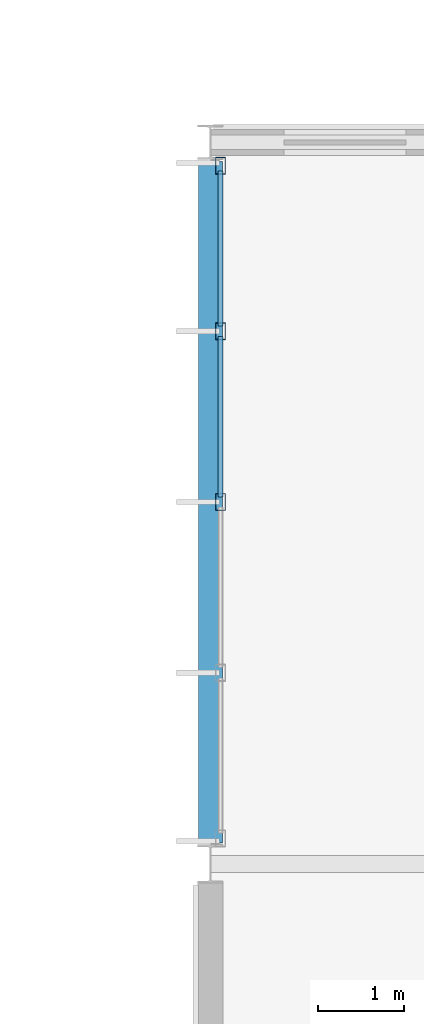
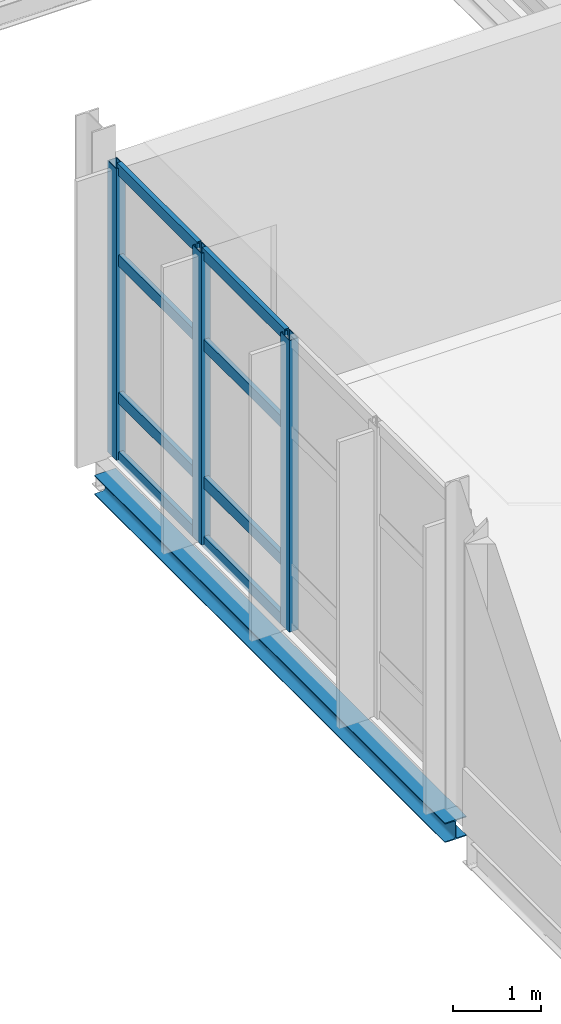
# One storey, part 71 of 129: 11 members, 1 beam, 1 element without a shape of its own.
"""IFC4 building model written with IfcOpenShell, lengths in metres."""

from ifc_helpers import new_model, si_unit, direction, frame, origin, origin_2d, place, context, subcontext, project, spatial, hollow_rectangle, i_section, extrude, material, material_profile, profile_set, type_object, element, aggregate, save


model = new_model("IFC4")

# Units and contexts
model_context = context("Model", 3, precision=1e-05, world=origin(), true_north=direction((0.0, 1.0)))
body_context = subcontext(model_context, "Body", "Model", "MODEL_VIEW")
ifc_project = project(units=[si_unit("LENGTHUNIT", "METRE"), si_unit("AREAUNIT", "SQUARE_METRE"), si_unit("VOLUMEUNIT", "CUBIC_METRE"), si_unit("PLANEANGLEUNIT", "RADIAN"), si_unit("MASSUNIT", "GRAM", prefix="KILO")], contexts=[model_context])

# Site, building, storey
site_placement = place(None, origin())
site = spatial("IfcSite", under=ifc_project, at=site_placement, CompositionType="ELEMENT")
building_placement = place(site_placement, origin())
building = spatial("IfcBuilding", under=site, at=building_placement, Name="Mersafa Astral City Hall", CompositionType="ELEMENT")
storey_placement = place(building_placement, frame((0.0, 0.0, 5.39990234375)))
storey = spatial("IfcBuildingStorey", under=building, at=storey_placement, Name="L01", CompositionType="ELEMENT", Elevation=5.39990234375)

# Curtain wall, members
ifc_material_1 = material(Name="Anodised bronze aluminium framing", Category="aluminium")
curtain_wall_type = type_object("IfcCurtainWallType", Name="ENV-CW-1", PredefinedType="USERDEFINED", material=ifc_material_1)
curtain_wall_placement = place(storey_placement, origin())
curtain_wall = element("IfcCurtainWall", 1, at=curtain_wall_placement, inside=storey, type_object=curtain_wall_type, Name="L01 Unitised solar curtain wall 66", ObjectType="UNITISED CURTAIN WALL", PredefinedType="USERDEFINED")
ifc_material_profile_1 = material_profile(ifc_material_1, hollow_rectangle(XDim=0.1201171875, YDim=0.199951171875, WallThickness=0.008056640625, at=origin_2d()), Name="RHS 120x200x8")
ifc_profile_set_1 = profile_set([ifc_material_profile_1], Name="Anodised bronze aluminium framing")
member_type_1 = type_object("IfcMemberType", Name="ENV-CW-MUL-2", PredefinedType="MULLION", material=ifc_profile_set_1)
member_1_placement = place(storey_placement, frame((159.719970703125, 92.1279296875, -0.001953125), z_axis=(0.0, 0.0, 1.0), x_axis=(1.0, 0.0, 0.0)))
member_1 = element("IfcMember", 2, at=member_1_placement, type_object=member_type_1, Name="CW-1 mullion 1", PredefinedType="MULLION", context=body_context, shape_type="SweptSolid", body=[
    extrude(hollow_rectangle(XDim=0.1201171875, YDim=0.199951171875, WallThickness=0.008056640625, at=origin_2d()), origin(), (0.0, 0.0, 1.0), 4.029052734375),
])
member_2_placement = place(storey_placement, frame((159.719970703125, 90.2001953125, -0.001953125), z_axis=(0.0, 0.0, 1.0), x_axis=(1.0, 0.0, 0.0)))
member_2 = element("IfcMember", 3, at=member_2_placement, type_object=member_type_1, Name="CW-1 mullion 2", PredefinedType="MULLION", context=body_context, shape_type="SweptSolid", body=[
    extrude(hollow_rectangle(XDim=0.1201171875, YDim=0.199951171875, WallThickness=0.008056640625, at=origin_2d()), origin(), (0.0, 0.0, 1.0), 4.029052734375),
])
member_3_placement = place(storey_placement, frame((159.719970703125, 88.21240234375, -0.001953125), z_axis=(0.0, 0.0, 1.0), x_axis=(1.0, 0.0, 0.0)))
member_3 = element("IfcMember", 4, at=member_3_placement, type_object=member_type_1, Name="CW-1 mullion 3", PredefinedType="MULLION", context=body_context, shape_type="SweptSolid", body=[
    extrude(hollow_rectangle(XDim=0.1201171875, YDim=0.199951171875, WallThickness=0.008056640625, at=origin_2d()), origin(), (0.0, 0.0, 1.0), 4.029052734375),
])
ifc_material_profile_2 = material_profile(ifc_material_1, hollow_rectangle(XDim=0.06005859375, YDim=0.159912109375, WallThickness=0.00390625, at=origin_2d()), Name="RHS 60x160x4")
ifc_profile_set_2 = profile_set([ifc_material_profile_2], Name="Anodised bronze aluminium framing")
member_type_2 = type_object("IfcMemberType", Name="ENV-CW-TRN-2", PredefinedType="USERDEFINED", material=ifc_profile_set_2)
member_4_placement = place(storey_placement, frame((159.719970703125, 92.068115234375, 0.028076171875), z_axis=(0.0, -1.0, 0.0), x_axis=(1.0, 0.0, 0.0)))
member_4 = element("IfcMember", 5, at=member_4_placement, type_object=member_type_2, Name="CW-1 transom 1.1", ObjectType="TRANSOM", PredefinedType="USERDEFINED", context=body_context, shape_type="SweptSolid", body=[
    extrude(hollow_rectangle(XDim=0.06005859375, YDim=0.159912109375, WallThickness=0.00390625, at=origin_2d()), origin(), (0.0, 0.0, 1.0), 1.807861328125),
])
member_5_placement = place(storey_placement, frame((159.719970703125, 92.068115234375, 0.85009765625), z_axis=(0.0, -1.0, 0.0), x_axis=(1.0, 0.0, 0.0)))
member_5 = element("IfcMember", 6, at=member_5_placement, type_object=member_type_2, Name="CW-1 transom 1.2", ObjectType="TRANSOM", PredefinedType="USERDEFINED", context=body_context, shape_type="SweptSolid", body=[
    extrude(hollow_rectangle(XDim=0.06005859375, YDim=0.159912109375, WallThickness=0.00390625, at=origin_2d()), origin(), (0.0, 0.0, 1.0), 1.807861328125),
])
member_6_placement = place(storey_placement, frame((159.719970703125, 92.068115234375, 2.75), z_axis=(0.0, -1.0, 0.0), x_axis=(1.0, 0.0, 0.0)))
member_6 = element("IfcMember", 7, at=member_6_placement, type_object=member_type_2, Name="CW-1 transom 1.3", ObjectType="TRANSOM", PredefinedType="USERDEFINED", context=body_context, shape_type="SweptSolid", body=[
    extrude(hollow_rectangle(XDim=0.06005859375, YDim=0.159912109375, WallThickness=0.00390625, at=origin_2d()), origin(), (0.0, 0.0, 1.0), 1.807861328125),
])
member_7_placement = place(storey_placement, frame((159.719970703125, 92.068115234375, 3.9970703125), z_axis=(0.0, -1.0, 0.0), x_axis=(1.0, 0.0, 0.0)))
member_7 = element("IfcMember", 8, at=member_7_placement, type_object=member_type_2, Name="CW-1 transom 1.4", ObjectType="TRANSOM", PredefinedType="USERDEFINED", context=body_context, shape_type="SweptSolid", body=[
    extrude(hollow_rectangle(XDim=0.06005859375, YDim=0.159912109375, WallThickness=0.00390625, at=origin_2d()), origin(), (0.0, 0.0, 1.0), 1.807861328125),
])
member_8_placement = place(storey_placement, frame((159.719970703125, 90.14013671875, 0.028076171875), z_axis=(0.0, -1.0, 0.0), x_axis=(1.0, 0.0, 0.0)))
member_8 = element("IfcMember", 9, at=member_8_placement, type_object=member_type_2, Name="CW-1 transom 2.1", ObjectType="TRANSOM", PredefinedType="USERDEFINED", context=body_context, shape_type="SweptSolid", body=[
    extrude(hollow_rectangle(XDim=0.06005859375, YDim=0.159912109375, WallThickness=0.00390625, at=origin_2d()), origin(), (0.0, 0.0, 1.0), 1.86767578125),
])
member_9_placement = place(storey_placement, frame((159.719970703125, 90.14013671875, 0.85009765625), z_axis=(0.0, -1.0, 0.0), x_axis=(1.0, 0.0, 0.0)))
member_9 = element("IfcMember", 10, at=member_9_placement, type_object=member_type_2, Name="CW-1 transom 2.2", ObjectType="TRANSOM", PredefinedType="USERDEFINED", context=body_context, shape_type="SweptSolid", body=[
    extrude(hollow_rectangle(XDim=0.06005859375, YDim=0.159912109375, WallThickness=0.00390625, at=origin_2d()), origin(), (0.0, 0.0, 1.0), 1.86767578125),
])
member_10_placement = place(storey_placement, frame((159.719970703125, 90.14013671875, 2.75), z_axis=(0.0, -1.0, 0.0), x_axis=(1.0, 0.0, 0.0)))
member_10 = element("IfcMember", 11, at=member_10_placement, type_object=member_type_2, Name="CW-1 transom 2.3", ObjectType="TRANSOM", PredefinedType="USERDEFINED", context=body_context, shape_type="SweptSolid", body=[
    extrude(hollow_rectangle(XDim=0.06005859375, YDim=0.159912109375, WallThickness=0.00390625, at=origin_2d()), origin(), (0.0, 0.0, 1.0), 1.86767578125),
])
member_11_placement = place(storey_placement, frame((159.719970703125, 90.14013671875, 3.9970703125), z_axis=(0.0, -1.0, 0.0), x_axis=(1.0, 0.0, 0.0)))
member_11 = element("IfcMember", 12, at=member_11_placement, type_object=member_type_2, Name="CW-1 transom 2.4", ObjectType="TRANSOM", PredefinedType="USERDEFINED", context=body_context, shape_type="SweptSolid", body=[
    extrude(hollow_rectangle(XDim=0.06005859375, YDim=0.159912109375, WallThickness=0.00390625, at=origin_2d()), origin(), (0.0, 0.0, 1.0), 1.86767578125),
])
aggregate(curtain_wall, [member_1, member_2, member_3, member_4, member_5, member_6, member_7, member_8, member_9, member_10, member_11])

# Beam
ifc_material_2 = material(Name="Steel S355", Category="steel")
ifc_material_profile_3 = material_profile(ifc_material_2, i_section(OverallWidth=0.280029296875, OverallDepth=0.27001953125, WebThickness=0.008056640625, FlangeThickness=0.012939453125, FilletRadius=0.02392578125, at=origin_2d()), Name="HEA 280")
ifc_profile_set_3 = profile_set([ifc_material_profile_3], Name="Steel S355")
beam_type = type_object("IfcBeamType", Name="STR-BM-SPANDREL-HEA280", PredefinedType="SPANDREL", material=ifc_profile_set_3)
beam_placement = place(storey_placement, frame((159.60009765625, 84.2451171875, -0.35986328125), z_axis=(0.0, 1.0, 0.0), x_axis=(-1.0, 0.0, 0.0)))
element("IfcBeam", 13, at=beam_placement, inside=storey, type_object=beam_type, Name="L01 Primary girder Y 19-10", PredefinedType="SPANDREL", context=body_context, shape_type="SweptSolid", body=[
    extrude(i_section(OverallWidth=0.280029296875, OverallDepth=0.27001953125, WebThickness=0.008056640625, FlangeThickness=0.012939453125, FilletRadius=0.02392578125, at=origin_2d()), origin(), (0.0, 0.0, 1.0), 7.934814453125),
])

save(model, "model.ifc")
